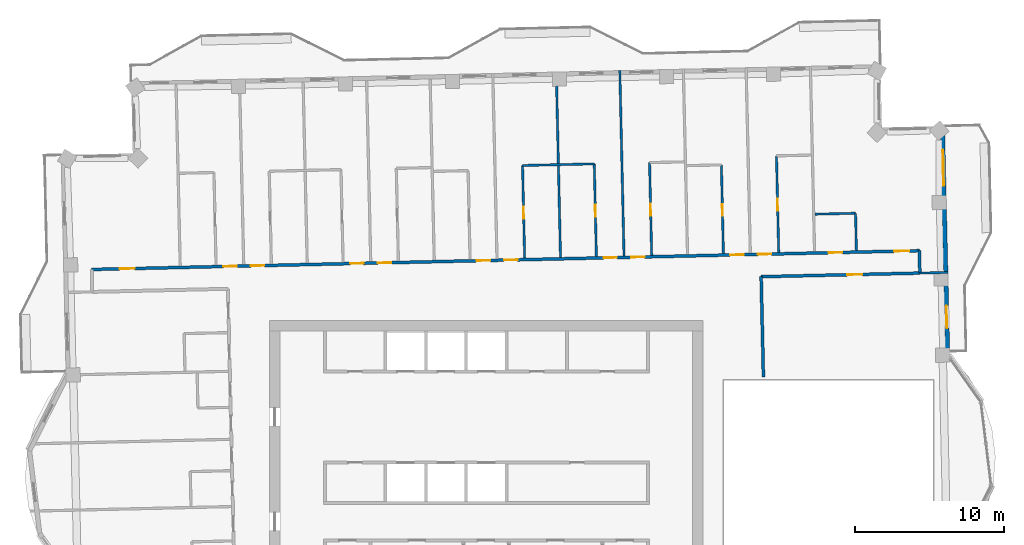
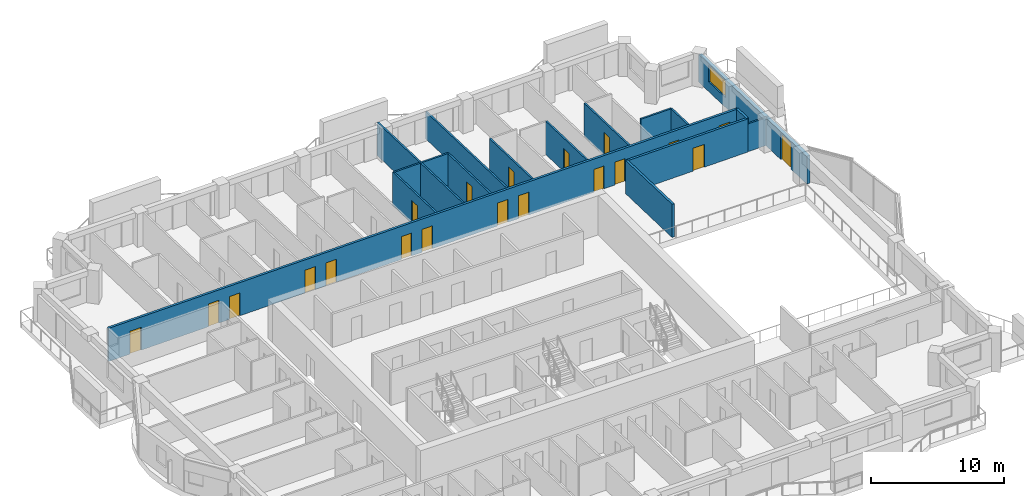
# One storey, part 14 of 20: 20 doors, 16 walls, 1 window, 21 openings.
"""IFC4 building model written with IfcOpenShell, lengths in metres."""

import ifcopenshell
import ifcopenshell.guid

model = None  # the IFC model being written
_history = None  # IfcOwnerHistory: only IFC2X3 demands one
_inside = {}  # id of a spatial element -> (the spatial element, [elements in it])
_under = {}  # id of a project, library or spatial element -> (it, [spatial elements below it])
_declared = {}  # id of a project -> (the project, [libraries it declares])
_typed = {}  # id of a type object -> (the type object, [elements of that type])
_made_of = {}  # id of a material, layer set ... -> (it, [elements and type objects made of it])


def new_model(schema):
    """Start an empty IFC model of exactly this schema.

    Asked for "IFC4X3", IfcOpenShell would pick the latest addendum, in which some entities
    have other attributes; the version numbers below select the first issue.
    IFC2X3 requires an IfcOwnerHistory on every rooted entity: one is made here for all.
    """
    global model, _history
    if schema == "IFC4X3":
        model = ifcopenshell.file(schema_version=(4, 3, 0, 0))
    else:
        model = ifcopenshell.file(schema=schema)
    _inside.clear()
    _under.clear()
    _declared.clear()
    _typed.clear()
    _made_of.clear()
    _history = None
    if model.schema == "IFC2X3":
        org = make("IfcOrganization", Name="unknown")
        user = make(
            "IfcPersonAndOrganization",
            ThePerson=make("IfcPerson", FamilyName="unknown"),
            TheOrganization=org,
        )
        app = make(
            "IfcApplication",
            ApplicationDeveloper=org,
            Version="unknown",
            ApplicationFullName="unknown",
            ApplicationIdentifier="unknown",
        )
        _history = make(
            "IfcOwnerHistory",
            OwningUser=user,
            OwningApplication=app,
            ChangeAction="ADDED",
            CreationDate=0,
        )
    return model


def make(cls, **values):
    """One entity of the class cls with the attributes given. An attribute that is None is left unset."""
    return model.create_entity(
        cls, **{name: value for name, value in values.items() if value is not None}
    )


def rooted(cls, **values):
    """An entity with a GlobalId (a new one), such as an element, a storey or a relation."""
    return make(cls, GlobalId=ifcopenshell.guid.new(), OwnerHistory=_history, **values)


def si_unit(unit_type, name, prefix=None):
    """IfcSIUnit, for example si_unit("LENGTHUNIT", "METRE", prefix="MILLI")."""
    return make("IfcSIUnit", UnitType=unit_type, Prefix=prefix, Name=name)


def assignment(units):
    """IfcUnitAssignment: the units of a project."""
    return None if units is None else make("IfcUnitAssignment", Units=units)


def point(xyz):
    """IfcCartesianPoint."""
    return None if xyz is None else make("IfcCartesianPoint", Coordinates=xyz)


def direction(xyz):
    """IfcDirection."""
    return None if xyz is None else make("IfcDirection", DirectionRatios=xyz)


def frame(location, z_axis=None, x_axis=None):
    """IfcAxis2Placement3D, a coordinate frame: its origin and axes. An axis left out is left unset."""
    return make(
        "IfcAxis2Placement3D",
        Location=point(location),
        Axis=direction(z_axis),
        RefDirection=direction(x_axis),
    )


def frame_2d(location, x_axis=None):
    """IfcAxis2Placement2D, a coordinate frame in the plane: its origin and x axis."""
    return make(
        "IfcAxis2Placement2D", Location=point(location), RefDirection=direction(x_axis)
    )


def origin():
    """The frame at (0, 0, 0) with its axes left unset."""
    return frame((0.0, 0.0, 0.0))


def place(relative_to, where):
    """IfcLocalPlacement: puts the frame where relative to a parent placement (None: the world)."""
    return make(
        "IfcLocalPlacement", PlacementRelTo=relative_to, RelativePlacement=where
    )


def context(
    kind, dimensions, precision=None, world=None, true_north=None, identifier=None
):
    """IfcGeometricRepresentationContext, for example the 3D "Model" context."""
    return make(
        "IfcGeometricRepresentationContext",
        ContextIdentifier=identifier,
        ContextType=kind,
        CoordinateSpaceDimension=dimensions,
        Precision=precision,
        WorldCoordinateSystem=world,
        TrueNorth=true_north,
    )


def subcontext(parent, identifier, kind, view, scale=None):
    """IfcGeometricRepresentationSubContext, for example "Body" below "Model"."""
    return make(
        "IfcGeometricRepresentationSubContext",
        ContextIdentifier=identifier,
        ContextType=kind,
        ParentContext=parent,
        TargetScale=scale,
        TargetView=view,
    )


def project(units=None, contexts=None):
    """IfcProject with its units and contexts."""
    return rooted(
        "IfcProject",
        Name="project",
        RepresentationContexts=contexts,
        UnitsInContext=assignment(units),
    )


def spatial(cls, under=None, at=None, **own):
    """A site, building, storey or space (cls), placed at a placement, below another one or the project."""
    s = rooted(cls, ObjectPlacement=at, **own)
    if under is not None:
        _under.setdefault(under.id(), (under, []))[1].append(s)
    return s


def profile(cls, at=None, kind="AREA", **sizes):
    """A parametric profile (cls). Its sizes go by their IFC names, for example OverallWidth=200.0."""
    return make(cls, ProfileType=kind, Position=at, **sizes)


def rectangle(**sizes):
    """IfcRectangleProfileDef."""
    return profile("IfcRectangleProfileDef", **sizes)


def extrude(swept, where, along, depth):
    """IfcExtrudedAreaSolid: the profile swept, set in the frame where, extruded along a direction by depth."""
    return make(
        "IfcExtrudedAreaSolid",
        SweptArea=swept,
        Position=where,
        ExtrudedDirection=direction(along),
        Depth=depth,
    )


def shape(context_of_items, identifier, shape_type, items):
    """IfcShapeRepresentation: the items that make up one representation, for example the "Body"."""
    return make(
        "IfcShapeRepresentation",
        ContextOfItems=context_of_items,
        RepresentationIdentifier=identifier,
        RepresentationType=shape_type,
        Items=items,
    )


def material(Name=None, Category=None):
    """IfcMaterial."""
    return make("IfcMaterial", Name=Name, Category=Category)


def layer(
    of_material, thickness, ventilated=None, Name=None, Category=None, Priority=None
):
    """IfcMaterialLayer: one layer of a wall or slab, of a material (None: an air gap)."""
    return make(
        "IfcMaterialLayer",
        Material=of_material,
        LayerThickness=thickness,
        IsVentilated=ventilated,
        Name=Name,
        Category=Category,
        Priority=Priority,
    )


def layer_set(layers, Name=None):
    """IfcMaterialLayerSet."""
    return make("IfcMaterialLayerSet", MaterialLayers=layers, LayerSetName=Name)


def made_of(thing, what):
    """Note that an element or type object is made of a material, layer set ...; save() writes the relation."""
    if what is not None:
        _made_of.setdefault(what.id(), (what, []))[1].append(thing)
    return thing


def type_object(cls, material=None, **own):
    """A type object (cls), such as IfcWallType, which elements share."""
    return made_of(rooted(cls, **own), material)


def element(
    cls,
    number,
    at=None,
    inside=None,
    cuts=None,
    type_object=None,
    material=None,
    context=None,
    identifier="Body",
    shape_type=None,
    held_by="IfcProductDefinitionShape",
    body=None,
    shapes=None,
    **own,
):
    """One element of the class cls, such as IfcWall. Its Tag is "e" and its number.

    at: its placement. inside: the storey or other place that contains it. cuts: it is an
    opening in that element (IfcRelVoidsElement). A single representation is given by context,
    identifier, shape_type and body (its items); several are given by shapes. held_by: the class
    of the entity that holds the representations. save() writes the other relations.
    """
    e = rooted(cls, Tag="e%d" % number, ObjectPlacement=at, **own)
    if body is not None:
        shapes = [shape(context, identifier, shape_type, body)]
    if shapes is not None:
        e.Representation = make(held_by, Representations=shapes)
    if inside is not None:
        _inside.setdefault(inside.id(), (inside, []))[1].append(e)
    if cuts is not None:
        rooted(
            "IfcRelVoidsElement", RelatingBuildingElement=cuts, RelatedOpeningElement=e
        )
    if type_object is not None:
        _typed.setdefault(type_object.id(), (type_object, []))[1].append(e)
    return made_of(e, material)


def fill(opening, filler):
    """IfcRelFillsElement: the door or window that sits in an opening."""
    return rooted(
        "IfcRelFillsElement",
        RelatingOpeningElement=opening,
        RelatedBuildingElement=filler,
    )


def aggregate(whole, parts):
    """IfcRelAggregates: a whole, such as a stair, and the parts it consists of."""
    return rooted("IfcRelAggregates", RelatingObject=whole, RelatedObjects=parts)


def save(model, path):
    """Write the relations noted so far, then the file.

    IfcRelAggregates (storeys below a building ...), IfcRelContainedInSpatialStructure (elements
    in a storey), IfcRelDefinesByType, IfcRelAssociatesMaterial and IfcRelDeclares: one each for
    every whole, place, type object, material and project.
    """
    for whole, parts in _under.values():
        aggregate(whole, parts)
    for where, things in _inside.values():
        rooted(
            "IfcRelContainedInSpatialStructure",
            RelatedElements=things,
            RelatingStructure=where,
        )
    for kind, things in _typed.values():
        rooted("IfcRelDefinesByType", RelatedObjects=things, RelatingType=kind)
    for what, things in _made_of.values():
        rooted("IfcRelAssociatesMaterial", RelatedObjects=things, RelatingMaterial=what)
    for by, libraries in _declared.values():
        rooted("IfcRelDeclares", RelatingContext=by, RelatedDefinitions=libraries)
    model.write(path)


model = new_model("IFC4")

# Units and contexts
model_context = context("Model", 3, precision=1e-05, world=origin(), true_north=direction((0.0, 1.0)))
body_context = subcontext(model_context, "Body", "Model", "MODEL_VIEW")
ifc_project = project(units=[si_unit("LENGTHUNIT", "METRE"), si_unit("AREAUNIT", "SQUARE_METRE"), si_unit("VOLUMEUNIT", "CUBIC_METRE"), si_unit("PLANEANGLEUNIT", "RADIAN"), si_unit("MASSUNIT", "GRAM", prefix="KILO")], contexts=[model_context])

# Site, building, storey
site_placement = place(None, origin())
site = spatial("IfcSite", under=ifc_project, at=site_placement, CompositionType="ELEMENT")
building_placement = place(site_placement, origin())
building = spatial("IfcBuilding", under=site, at=building_placement, Name="Mangrove Gate Tower", CompositionType="ELEMENT")
storey_placement = place(building_placement, frame((0.0, 0.0, 294.300048828125)))
storey = spatial("IfcBuildingStorey", under=building, at=storey_placement, Name="L75", CompositionType="ELEMENT", Elevation=294.300048828125)

# Wall
ifc_material_1 = material(Name="Gypsum board on steel stud, EI 60", Category="steel")
ifc_layer_1 = layer(ifc_material_1, 0.199951171875)
ifc_layer_set_1 = layer_set([ifc_layer_1], Name="Corridor wall EI 60")
wall_type_1 = type_object("IfcWallType", Name="Corridor wall EI 60", PredefinedType="PARTITIONING", material=ifc_layer_set_1)
wall_1_placement = place(storey_placement, frame((18.537109375, 7.714111328125, 0.0), z_axis=(0.0, 0.0, 1.0), x_axis=(-0.022773383809, 0.999740652864, 0.0)))
element("IfcWall", 1, at=wall_1_placement, inside=storey, type_object=wall_type_1, Name="WALL-L75-050", PredefinedType="PARTITIONING", context=body_context, shape_type="SweptSolid", body=[
    extrude(rectangle(XDim=6.7216796875, YDim=0.199951171875, at=frame_2d((3.36083984375, 0.0))), origin(), (0.0, 0.0, 1.0), 3.050048828125),
])

# Wall, opening, door
wall_2_placement = place(storey_placement, frame((18.382080078125, 14.43408203125, 0.0), z_axis=(0.0, 0.0, 1.0), x_axis=(0.999742819156, 0.02267808514, 0.0)))
wall_2 = element("IfcWall", 2, at=wall_2_placement, inside=storey, type_object=wall_type_1, Name="WALL-L75-057", PredefinedType="PARTITIONING", context=body_context, shape_type="SweptSolid", body=[
    extrude(rectangle(XDim=10.62548828125, YDim=0.199951171875, at=frame_2d((5.312744140625, 0.0))), origin(), (0.0, 0.0, 1.0), 3.050048828125),
])
opening_1_placement = place(wall_2_placement, frame((5.777099609375, 0.0, 0.0)))
opening_1 = element("IfcOpeningElement", 3, at=opening_1_placement, cuts=wall_2, Name="Opening AD", PredefinedType="OPENING", context=body_context, shape_type="SweptSolid", body=[
    extrude(rectangle(XDim=1.0, YDim=2.10009765625, at=frame_2d((0.5, 1.050048828125))), frame((0.0, 0.10986328125, 0.0), z_axis=(0.0, -1.0, 0.0), x_axis=(1.0, 0.0, 0.0)), (0.0, 0.0, 1.0), 0.219970703125),
])
ifc_material_2 = material(Name="Timber door leaf", Category="wood")
door_type_1 = type_object("IfcDoorType", Name="Amenity door 1000", OperationType="SINGLE_SWING_LEFT", PredefinedType="DOOR", material=ifc_material_2)
door_1_placement = place(opening_1_placement, origin())
door_1 = element("IfcDoor", 4, at=door_1_placement, inside=storey, type_object=door_type_1, Name="DOOR-L75-LNG-c3b", OperationType="SINGLE_SWING_RIGHT", OverallHeight=2.10009765625, OverallWidth=1.0, PredefinedType="DOOR", context=body_context, shape_type="SweptSolid", body=[
    extrude(rectangle(XDim=1.0, YDim=2.10009765625, at=frame_2d((0.5, 1.050048828125))), frame((0.0, 0.02490234375, 0.0), z_axis=(0.0, -1.0, 0.0), x_axis=(1.0, 0.0, 0.0)), (0.0, 0.0, 1.0), 0.050048828125),
])
fill(opening_1, door_1)

# Wall
wall_3_placement = place(storey_placement, frame((29.001953125, 14.675048828125, 0.0), z_axis=(0.0, 0.0, 1.0), x_axis=(-0.022617910375, 0.999744182344, 0.0)))
element("IfcWall", 5, at=wall_3_placement, inside=storey, type_object=wall_type_1, Name="WALL-L75-058", PredefinedType="PARTITIONING", context=body_context, shape_type="SweptSolid", body=[
    extrude(rectangle(XDim=1.50048828125, YDim=0.199951171875, at=frame_2d((0.750244140625, 0.0))), origin(), (0.0, 0.0, 1.0), 3.050048828125),
])

# Wall, openings, doors
wall_4_placement = place(storey_placement, frame((-26.40087890625, 14.91796875, 0.0), z_axis=(0.0, 0.0, 1.0), x_axis=(0.99974239733, 0.022696673341, 0.0)))
wall_4 = element("IfcWall", 6, at=wall_4_placement, inside=storey, type_object=wall_type_1, Name="WALL-L75-060", PredefinedType="PARTITIONING", context=body_context, shape_type="SweptSolid", body=[
    extrude(rectangle(XDim=55.385986328125, YDim=0.199951171875, at=frame_2d((27.69287109375, 0.0))), origin(), (0.0, 0.0, 1.0), 3.050048828125),
])
opening_2_placement = place(wall_4_placement, frame((53.718017578125, 0.0, 0.0)))
opening_2 = element("IfcOpeningElement", 7, at=opening_2_placement, cuts=wall_4, Name="Opening AD", PredefinedType="OPENING", context=body_context, shape_type="SweptSolid", body=[
    extrude(rectangle(XDim=1.0, YDim=2.10009765625, at=frame_2d((0.5, 1.050048828125))), frame((0.0, 0.10986328125, 0.0), z_axis=(0.0, -1.0, 0.0), x_axis=(1.0, 0.0, 0.0)), (0.0, 0.0, 1.0), 0.219970703125),
])
opening_3_placement = place(wall_4_placement, frame((49.324951171875, 0.0, 0.0)))
opening_3 = element("IfcOpeningElement", 8, at=opening_3_placement, cuts=wall_4, Name="Opening SD", PredefinedType="OPENING", context=body_context, shape_type="SweptSolid", body=[
    extrude(rectangle(XDim=0.89990234375, YDim=2.10009765625, at=frame_2d((0.449951171875, 1.050048828125))), frame((0.0, 0.10986328125, 0.0), z_axis=(0.0, -1.0, 0.0), x_axis=(1.0, 0.0, 0.0)), (0.0, 0.0, 1.0), 0.219970703125),
])
opening_4_placement = place(wall_4_placement, frame((44.574951171875, 0.0, 0.0)))
opening_4 = element("IfcOpeningElement", 9, at=opening_4_placement, cuts=wall_4, Name="Opening BD", PredefinedType="OPENING", context=body_context, shape_type="SweptSolid", body=[
    extrude(rectangle(XDim=0.89990234375, YDim=2.10009765625, at=frame_2d((0.449951171875, 1.050048828125))), frame((0.0, 0.10986328125, 0.0), z_axis=(0.0, -1.0, 0.0), x_axis=(1.0, 0.0, 0.0)), (0.0, 0.0, 1.0), 0.219970703125),
])
opening_5_placement = place(wall_4_placement, frame((42.72509765625, 0.0, 0.0)))
opening_5 = element("IfcOpeningElement", 10, at=opening_5_placement, cuts=wall_4, Name="Opening BD", PredefinedType="OPENING", context=body_context, shape_type="SweptSolid", body=[
    extrude(rectangle(XDim=0.89990234375, YDim=2.10009765625, at=frame_2d((0.449951171875, 1.050048828125))), frame((0.0, 0.10986328125, 0.0), z_axis=(0.0, -1.0, 0.0), x_axis=(1.0, 0.0, 0.0)), (0.0, 0.0, 1.0), 0.219970703125),
])
opening_6_placement = place(wall_4_placement, frame((36.10009765625, 0.0, 0.0)))
opening_6 = element("IfcOpeningElement", 11, at=opening_6_placement, cuts=wall_4, Name="Opening BD", PredefinedType="OPENING", context=body_context, shape_type="SweptSolid", body=[
    extrude(rectangle(XDim=0.89990234375, YDim=2.10009765625, at=frame_2d((0.449951171875, 1.050048828125))), frame((0.0, 0.10986328125, 0.0), z_axis=(0.0, -1.0, 0.0), x_axis=(1.0, 0.0, 0.0)), (0.0, 0.0, 1.0), 0.219970703125),
])
opening_7_placement = place(wall_4_placement, frame((34.25, 0.0, 0.0)))
opening_7 = element("IfcOpeningElement", 12, at=opening_7_placement, cuts=wall_4, Name="Opening BD", PredefinedType="OPENING", context=body_context, shape_type="SweptSolid", body=[
    extrude(rectangle(XDim=0.89990234375, YDim=2.10009765625, at=frame_2d((0.449951171875, 1.050048828125))), frame((0.0, 0.10986328125, 0.0), z_axis=(0.0, -1.0, 0.0), x_axis=(1.0, 0.0, 0.0)), (0.0, 0.0, 1.0), 0.219970703125),
])
opening_8_placement = place(wall_4_placement, frame((27.60009765625, 0.0, 0.0)))
opening_8 = element("IfcOpeningElement", 13, at=opening_8_placement, cuts=wall_4, Name="Opening BD", PredefinedType="OPENING", context=body_context, shape_type="SweptSolid", body=[
    extrude(rectangle(XDim=0.89990234375, YDim=2.10009765625, at=frame_2d((0.449951171875, 1.050048828125))), frame((0.0, 0.10986328125, 0.0), z_axis=(0.0, -1.0, 0.0), x_axis=(1.0, 0.0, 0.0)), (0.0, 0.0, 1.0), 0.219970703125),
])
opening_9_placement = place(wall_4_placement, frame((25.77490234375, 0.0, 0.0)))
opening_9 = element("IfcOpeningElement", 14, at=opening_9_placement, cuts=wall_4, Name="Opening BD", PredefinedType="OPENING", context=body_context, shape_type="SweptSolid", body=[
    extrude(rectangle(XDim=0.89990234375, YDim=2.10009765625, at=frame_2d((0.449951171875, 1.050048828125))), frame((0.0, 0.10986328125, 0.0), z_axis=(0.0, -1.0, 0.0), x_axis=(1.0, 0.0, 0.0)), (0.0, 0.0, 1.0), 0.219970703125),
])
opening_10_placement = place(wall_4_placement, frame((19.14990234375, 0.0, 0.0)))
opening_10 = element("IfcOpeningElement", 15, at=opening_10_placement, cuts=wall_4, Name="Opening BD", PredefinedType="OPENING", context=body_context, shape_type="SweptSolid", body=[
    extrude(rectangle(XDim=0.89990234375, YDim=2.10009765625, at=frame_2d((0.449951171875, 1.050048828125))), frame((0.0, 0.10986328125, 0.0), z_axis=(0.0, -1.0, 0.0), x_axis=(1.0, 0.0, 0.0)), (0.0, 0.0, 1.0), 0.219970703125),
])
opening_11_placement = place(wall_4_placement, frame((17.300048828125, 0.0, 0.0)))
opening_11 = element("IfcOpeningElement", 16, at=opening_11_placement, cuts=wall_4, Name="Opening BD", PredefinedType="OPENING", context=body_context, shape_type="SweptSolid", body=[
    extrude(rectangle(XDim=0.89990234375, YDim=2.10009765625, at=frame_2d((0.449951171875, 1.050048828125))), frame((0.0, 0.10986328125, 0.0), z_axis=(0.0, -1.0, 0.0), x_axis=(1.0, 0.0, 0.0)), (0.0, 0.0, 1.0), 0.219970703125),
])
opening_12_placement = place(wall_4_placement, frame((10.64990234375, 0.0, 0.0)))
opening_12 = element("IfcOpeningElement", 17, at=opening_12_placement, cuts=wall_4, Name="Opening BD", PredefinedType="OPENING", context=body_context, shape_type="SweptSolid", body=[
    extrude(rectangle(XDim=0.89990234375, YDim=2.10009765625, at=frame_2d((0.449951171875, 1.050048828125))), frame((0.0, 0.10986328125, 0.0), z_axis=(0.0, -1.0, 0.0), x_axis=(1.0, 0.0, 0.0)), (0.0, 0.0, 1.0), 0.219970703125),
])
opening_13_placement = place(wall_4_placement, frame((8.800048828125, 0.0, 0.0)))
opening_13 = element("IfcOpeningElement", 18, at=opening_13_placement, cuts=wall_4, Name="Opening BD", PredefinedType="OPENING", context=body_context, shape_type="SweptSolid", body=[
    extrude(rectangle(XDim=0.89990234375, YDim=2.10009765625, at=frame_2d((0.449951171875, 1.050048828125))), frame((0.0, 0.10986328125, 0.0), z_axis=(0.0, -1.0, 0.0), x_axis=(1.0, 0.0, 0.0)), (0.0, 0.0, 1.0), 0.219970703125),
])
opening_14_placement = place(wall_4_placement, frame((1.864013671875, 0.0, 0.0)))
opening_14 = element("IfcOpeningElement", 19, at=opening_14_placement, cuts=wall_4, Name="Opening AD", PredefinedType="OPENING", context=body_context, shape_type="SweptSolid", body=[
    extrude(rectangle(XDim=1.0, YDim=2.10009765625, at=frame_2d((0.5, 1.050048828125))), frame((0.0, 0.10986328125, 0.0), z_axis=(0.0, -1.0, 0.0), x_axis=(1.0, 0.0, 0.0)), (0.0, 0.0, 1.0), 0.219970703125),
])
door_2_placement = place(opening_2_placement, origin())
door_2 = element("IfcDoor", 20, at=door_2_placement, inside=storey, type_object=door_type_1, Name="DOOR-L75-KIT-c3a", OperationType="SINGLE_SWING_LEFT", OverallHeight=2.10009765625, OverallWidth=1.0, PredefinedType="DOOR", context=body_context, shape_type="SweptSolid", body=[
    extrude(rectangle(XDim=1.0, YDim=2.10009765625, at=frame_2d((0.5, 1.050048828125))), frame((0.0, 0.02490234375, 0.0), z_axis=(0.0, -1.0, 0.0), x_axis=(1.0, 0.0, 0.0)), (0.0, 0.0, 1.0), 0.050048828125),
])
fill(opening_2, door_2)
door_3_placement = place(opening_14_placement, origin())
door_3 = element("IfcDoor", 21, at=door_3_placement, inside=storey, type_object=door_type_1, Name="DOOR-L75-STU-c5a", OperationType="SINGLE_SWING_RIGHT", OverallHeight=2.10009765625, OverallWidth=1.0, PredefinedType="DOOR", context=body_context, shape_type="SweptSolid", body=[
    extrude(rectangle(XDim=1.0, YDim=2.10009765625, at=frame_2d((0.5, 1.050048828125))), frame((0.0, 0.02490234375, 0.0), z_axis=(0.0, -1.0, 0.0), x_axis=(1.0, 0.0, 0.0)), (0.0, 0.0, 1.0), 0.050048828125),
])
fill(opening_14, door_3)
ifc_material_3 = material(Name="Timber door leaf", Category="wood")
door_type_2 = type_object("IfcDoorType", Name="Bedroom door 900", OperationType="SINGLE_SWING_LEFT", PredefinedType="DOOR", material=ifc_material_3)
door_4_placement = place(opening_4_placement, origin())
door_4 = element("IfcDoor", 22, at=door_4_placement, inside=storey, type_object=door_type_2, Name="DOOR-L75-BED-c310", OperationType="SINGLE_SWING_RIGHT", OverallHeight=2.10009765625, OverallWidth=0.89990234375, PredefinedType="DOOR", context=body_context, shape_type="SweptSolid", body=[
    extrude(rectangle(XDim=0.89990234375, YDim=2.10009765625, at=frame_2d((0.449951171875, 1.050048828125))), frame((0.0, 0.02490234375, 0.0), z_axis=(0.0, -1.0, 0.0), x_axis=(1.0, 0.0, 0.0)), (0.0, 0.0, 1.0), 0.050048828125),
])
fill(opening_4, door_4)
door_5_placement = place(opening_5_placement, origin())
door_5 = element("IfcDoor", 23, at=door_5_placement, inside=storey, type_object=door_type_2, Name="DOOR-L75-BED-c311", OperationType="SINGLE_SWING_LEFT", OverallHeight=2.10009765625, OverallWidth=0.89990234375, PredefinedType="DOOR", context=body_context, shape_type="SweptSolid", body=[
    extrude(rectangle(XDim=0.89990234375, YDim=2.10009765625, at=frame_2d((0.449951171875, 1.050048828125))), frame((0.0, 0.02490234375, 0.0), z_axis=(0.0, -1.0, 0.0), x_axis=(1.0, 0.0, 0.0)), (0.0, 0.0, 1.0), 0.050048828125),
])
fill(opening_5, door_5)
door_6_placement = place(opening_6_placement, origin())
door_6 = element("IfcDoor", 24, at=door_6_placement, inside=storey, type_object=door_type_2, Name="DOOR-L75-BED-c312", OperationType="SINGLE_SWING_RIGHT", OverallHeight=2.10009765625, OverallWidth=0.89990234375, PredefinedType="DOOR", context=body_context, shape_type="SweptSolid", body=[
    extrude(rectangle(XDim=0.89990234375, YDim=2.10009765625, at=frame_2d((0.449951171875, 1.050048828125))), frame((0.0, 0.02490234375, 0.0), z_axis=(0.0, -1.0, 0.0), x_axis=(1.0, 0.0, 0.0)), (0.0, 0.0, 1.0), 0.050048828125),
])
fill(opening_6, door_6)
door_7_placement = place(opening_7_placement, origin())
door_7 = element("IfcDoor", 25, at=door_7_placement, inside=storey, type_object=door_type_2, Name="DOOR-L75-BED-c413", OperationType="SINGLE_SWING_LEFT", OverallHeight=2.10009765625, OverallWidth=0.89990234375, PredefinedType="DOOR", context=body_context, shape_type="SweptSolid", body=[
    extrude(rectangle(XDim=0.89990234375, YDim=2.10009765625, at=frame_2d((0.449951171875, 1.050048828125))), frame((0.0, 0.02490234375, 0.0), z_axis=(0.0, -1.0, 0.0), x_axis=(1.0, 0.0, 0.0)), (0.0, 0.0, 1.0), 0.050048828125),
])
fill(opening_7, door_7)
door_8_placement = place(opening_8_placement, origin())
door_8 = element("IfcDoor", 26, at=door_8_placement, inside=storey, type_object=door_type_2, Name="DOOR-L75-BED-c414", OperationType="SINGLE_SWING_RIGHT", OverallHeight=2.10009765625, OverallWidth=0.89990234375, PredefinedType="DOOR", context=body_context, shape_type="SweptSolid", body=[
    extrude(rectangle(XDim=0.89990234375, YDim=2.10009765625, at=frame_2d((0.449951171875, 1.050048828125))), frame((0.0, 0.02490234375, 0.0), z_axis=(0.0, -1.0, 0.0), x_axis=(1.0, 0.0, 0.0)), (0.0, 0.0, 1.0), 0.050048828125),
])
fill(opening_8, door_8)
door_9_placement = place(opening_9_placement, origin())
door_9 = element("IfcDoor", 27, at=door_9_placement, inside=storey, type_object=door_type_2, Name="DOOR-L75-BED-c415", OperationType="SINGLE_SWING_LEFT", OverallHeight=2.10009765625, OverallWidth=0.89990234375, PredefinedType="DOOR", context=body_context, shape_type="SweptSolid", body=[
    extrude(rectangle(XDim=0.89990234375, YDim=2.10009765625, at=frame_2d((0.449951171875, 1.050048828125))), frame((0.0, 0.02490234375, 0.0), z_axis=(0.0, -1.0, 0.0), x_axis=(1.0, 0.0, 0.0)), (0.0, 0.0, 1.0), 0.050048828125),
])
fill(opening_9, door_9)
door_10_placement = place(opening_10_placement, origin())
door_10 = element("IfcDoor", 28, at=door_10_placement, inside=storey, type_object=door_type_2, Name="DOOR-L75-BED-c416", OperationType="SINGLE_SWING_RIGHT", OverallHeight=2.10009765625, OverallWidth=0.89990234375, PredefinedType="DOOR", context=body_context, shape_type="SweptSolid", body=[
    extrude(rectangle(XDim=0.89990234375, YDim=2.10009765625, at=frame_2d((0.449951171875, 1.050048828125))), frame((0.0, 0.02490234375, 0.0), z_axis=(0.0, -1.0, 0.0), x_axis=(1.0, 0.0, 0.0)), (0.0, 0.0, 1.0), 0.050048828125),
])
fill(opening_10, door_10)
door_11_placement = place(opening_11_placement, origin())
door_11 = element("IfcDoor", 29, at=door_11_placement, inside=storey, type_object=door_type_2, Name="DOOR-L75-BED-c517", OperationType="SINGLE_SWING_LEFT", OverallHeight=2.10009765625, OverallWidth=0.89990234375, PredefinedType="DOOR", context=body_context, shape_type="SweptSolid", body=[
    extrude(rectangle(XDim=0.89990234375, YDim=2.10009765625, at=frame_2d((0.449951171875, 1.050048828125))), frame((0.0, 0.02490234375, 0.0), z_axis=(0.0, -1.0, 0.0), x_axis=(1.0, 0.0, 0.0)), (0.0, 0.0, 1.0), 0.050048828125),
])
fill(opening_11, door_11)
door_12_placement = place(opening_12_placement, origin())
door_12 = element("IfcDoor", 30, at=door_12_placement, inside=storey, type_object=door_type_2, Name="DOOR-L75-BED-c518", OperationType="SINGLE_SWING_RIGHT", OverallHeight=2.10009765625, OverallWidth=0.89990234375, PredefinedType="DOOR", context=body_context, shape_type="SweptSolid", body=[
    extrude(rectangle(XDim=0.89990234375, YDim=2.10009765625, at=frame_2d((0.449951171875, 1.050048828125))), frame((0.0, 0.02490234375, 0.0), z_axis=(0.0, -1.0, 0.0), x_axis=(1.0, 0.0, 0.0)), (0.0, 0.0, 1.0), 0.050048828125),
])
fill(opening_12, door_12)
door_13_placement = place(opening_13_placement, origin())
door_13 = element("IfcDoor", 31, at=door_13_placement, inside=storey, type_object=door_type_2, Name="DOOR-L75-BED-c519", OperationType="SINGLE_SWING_LEFT", OverallHeight=2.10009765625, OverallWidth=0.89990234375, PredefinedType="DOOR", context=body_context, shape_type="SweptSolid", body=[
    extrude(rectangle(XDim=0.89990234375, YDim=2.10009765625, at=frame_2d((0.449951171875, 1.050048828125))), frame((0.0, 0.02490234375, 0.0), z_axis=(0.0, -1.0, 0.0), x_axis=(1.0, 0.0, 0.0)), (0.0, 0.0, 1.0), 0.050048828125),
])
fill(opening_13, door_13)
ifc_material_4 = material(Name="Timber door leaf", Category="wood")
door_type_3 = type_object("IfcDoorType", Name="Service room door 900", OperationType="SINGLE_SWING_LEFT", PredefinedType="DOOR", material=ifc_material_4)
door_14_placement = place(opening_3_placement, origin())
door_14 = element("IfcDoor", 32, at=door_14_placement, inside=storey, type_object=door_type_3, Name="DOOR-L75-LDY-c3a", OperationType="SINGLE_SWING_RIGHT", OverallHeight=2.10009765625, OverallWidth=0.89990234375, PredefinedType="DOOR", context=body_context, shape_type="SweptSolid", body=[
    extrude(rectangle(XDim=0.89990234375, YDim=2.10009765625, at=frame_2d((0.449951171875, 1.050048828125))), frame((0.0, 0.02490234375, 0.0), z_axis=(0.0, -1.0, 0.0), x_axis=(1.0, 0.0, 0.0)), (0.0, 0.0, 1.0), 0.050048828125),
])
fill(opening_3, door_14)

# Wall, openings, door, window
ifc_material_5 = material(Name="Limestone", Category="masonry")
ifc_layer_2 = layer(ifc_material_5, 0.0400390625, Name="Limestone cladding")
ifc_material_6 = material(Name="Ventilated air gap")
ifc_layer_3 = layer(ifc_material_6, 0.0400390625, Name="Ventilated cavity")
ifc_material_7 = material(Name="Mineral wool insulation")
ifc_layer_4 = layer(ifc_material_7, 0.06005859375, Name="Insulation")
ifc_material_8 = material(Name="Breather membrane")
ifc_layer_5 = layer(ifc_material_8, 0.001953125, Name="Breather membrane")
ifc_material_9 = material(Name="Concrete C20/25 blockwork", Category="masonry")
ifc_layer_6 = layer(ifc_material_9, 0.14990234375, Name="Blockwork backing wall")
ifc_material_10 = material(Name="Gypsum plaster")
ifc_layer_7 = layer(ifc_material_10, 0.008056640625, Name="Internal plaster")
ifc_layer_set_2 = layer_set([ifc_layer_2, ifc_layer_3, ifc_layer_4, ifc_layer_5, ifc_layer_6, ifc_layer_7], Name="External wall 300 limestone cladding")
wall_type_2 = type_object("IfcWallType", Name="External wall 300 limestone cladding", PredefinedType="SOLIDWALL", material=ifc_layer_set_2)
wall_5_placement = place(storey_placement, frame((30.864990234375, 8.716064453125, 0.0), z_axis=(0.0, 0.0, 1.0), x_axis=(-0.022682425427, 0.999742720692, 0.0)))
wall_5 = element("IfcWall", 33, at=wall_5_placement, inside=storey, type_object=wall_type_2, Name="WALL-L75-E2s1", PredefinedType="SOLIDWALL", context=body_context, shape_type="SweptSolid", body=[
    extrude(rectangle(XDim=15.64990234375, YDim=0.300048828125, at=frame_2d((7.824951171875, 0.0))), origin(), (0.0, 0.0, 1.0), 2.550048828125),
])
opening_15_placement = place(wall_5_placement, frame((2.279052734375, 0.0, 0.0)))
opening_15 = element("IfcOpeningElement", 34, at=opening_15_placement, cuts=wall_5, Name="Opening BD1", PredefinedType="OPENING", context=body_context, shape_type="SweptSolid", body=[
    extrude(rectangle(XDim=1.5, YDim=2.39990234375, at=frame_2d((0.75, 1.199951171875))), frame((0.0, 0.159912109375, 0.0), z_axis=(0.0, -1.0, 0.0), x_axis=(1.0, 0.0, 0.0)), (0.0, 0.0, 1.0), 0.320068359375),
])
opening_16_placement = place(wall_5_placement, frame((11.798095703125, 0.0, 0.89990234375)))
opening_16 = element("IfcOpeningElement", 35, at=opening_16_placement, cuts=wall_5, Name="Opening W2", PredefinedType="OPENING", context=body_context, shape_type="SweptSolid", body=[
    extrude(rectangle(XDim=2.39990234375, YDim=1.5, at=frame_2d((1.199951171875, 0.75))), frame((0.0, 0.159912109375, 0.0), z_axis=(0.0, -1.0, 0.0), x_axis=(1.0, 0.0, 0.0)), (0.0, 0.0, 1.0), 0.320068359375),
])
ifc_material_11 = material(Name="Aluminium frame with laminated clear glass", Category="aluminium")
door_type_4 = type_object("IfcDoorType", Name="Balcony sliding door 1500x2400", OperationType="SLIDING_TO_LEFT", PredefinedType="DOOR", material=ifc_material_11)
door_15_placement = place(opening_15_placement, origin())
door_15 = element("IfcDoor", 36, at=door_15_placement, inside=storey, type_object=door_type_4, Name="DOOR-L75-E2-1", OperationType="SLIDING_TO_LEFT", OverallHeight=2.39990234375, OverallWidth=1.5, PredefinedType="DOOR", context=body_context, shape_type="SweptSolid", body=[
    extrude(rectangle(XDim=1.5, YDim=2.39990234375, at=frame_2d((0.75, 1.199951171875))), frame((0.0, 0.02490234375, 0.0), z_axis=(0.0, -1.0, 0.0), x_axis=(1.0, 0.0, 0.0)), (0.0, 0.0, 1.0), 0.050048828125),
])
fill(opening_15, door_15)
ifc_material_12 = material(Name="Aluminium frame with double-glazed low-e glass", Category="aluminium")
window_type = type_object("IfcWindowType", Name="Corner room window 2400x1500", PartitioningType="DOUBLE_PANEL_VERTICAL", PredefinedType="WINDOW", material=ifc_material_12)
window_placement = place(opening_16_placement, origin())
window = element("IfcWindow", 37, at=window_placement, inside=storey, type_object=window_type, Name="WIN-L75-E2-2", OverallHeight=1.5, OverallWidth=2.39990234375, PartitioningType="DOUBLE_PANEL_VERTICAL", PredefinedType="WINDOW", context=body_context, shape_type="SweptSolid", body=[
    extrude(rectangle(XDim=2.39990234375, YDim=1.5, at=frame_2d((1.199951171875, 0.75))), frame((0.0, 0.030029296875, 0.0), z_axis=(0.0, -1.0, 0.0), x_axis=(1.0, 0.0, 0.0)), (0.0, 0.0, 1.0), 0.06005859375),
])
fill(opening_16, window)

# Wall
ifc_material_13 = material(Name="Gypsum board on steel stud, EI 60", Category="steel")
ifc_layer_8 = layer(ifc_material_13, 0.14990234375)
ifc_layer_set_3 = layer_set([ifc_layer_8], Name="Party wall 150 EI 60")
wall_type_3 = type_object("IfcWallType", Name="Party wall 150 EI 60", PredefinedType="PARTITIONING", material=ifc_layer_set_3)
wall_6_placement = place(storey_placement, frame((29.0048828125, 14.675048828125, 0.0), z_axis=(0.0, 0.0, 1.0), x_axis=(0.999737243051, 0.022922583999, 0.0)))
element("IfcWall", 38, at=wall_6_placement, inside=storey, type_object=wall_type_3, Name="WALL-L75-059", PredefinedType="PARTITIONING", context=body_context, shape_type="SweptSolid", body=[
    extrude(rectangle(XDim=1.87451171875, YDim=0.14990234375, at=frame_2d((0.937255859375, 0.0))), origin(), (0.0, 0.0, 1.0), 2.550048828125),
])

# Wall, opening, door
wall_7_placement = place(storey_placement, frame((2.56201171875, 15.675048828125, 0.0), z_axis=(0.0, 0.0, 1.0), x_axis=(-0.02275807565, 0.999741001456, 0.0)))
wall_7 = element("IfcWall", 39, at=wall_7_placement, inside=storey, type_object=wall_type_3, Name="WALL-L75-072", PredefinedType="PARTITIONING", context=body_context, shape_type="SweptSolid", body=[
    extrude(rectangle(XDim=6.20068359375, YDim=0.14990234375, at=frame_2d((3.100341796875, 0.0))), origin(), (0.0, 0.0, 1.0), 3.050048828125),
])
opening_17_placement = place(wall_7_placement, frame((2.64990234375, 0.0, 0.0)))
opening_17 = element("IfcOpeningElement", 40, at=opening_17_placement, cuts=wall_7, Name="Opening ED", PredefinedType="OPENING", context=body_context, shape_type="SweptSolid", body=[
    extrude(rectangle(XDim=0.800048828125, YDim=2.10009765625, at=frame_2d((0.39990234375, 1.050048828125))), frame((0.0, 0.0849609375, 0.0), z_axis=(0.0, -1.0, 0.0), x_axis=(1.0, 0.0, 0.0)), (0.0, 0.0, 1.0), 0.169921875),
])
ifc_material_14 = material(Name="Timber door leaf", Category="wood")
door_type_5 = type_object("IfcDoorType", Name="En-suite door 800", OperationType="SINGLE_SWING_LEFT", PredefinedType="DOOR", material=ifc_material_14)
door_16_placement = place(opening_17_placement, origin())
door_16 = element("IfcDoor", 41, at=door_16_placement, inside=storey, type_object=door_type_5, Name="DOOR-L75-ENS-c414", OperationType="SINGLE_SWING_RIGHT", OverallHeight=2.10009765625, OverallWidth=0.800048828125, PredefinedType="DOOR", context=body_context, shape_type="SweptSolid", body=[
    extrude(rectangle(XDim=0.800048828125, YDim=2.10009765625, at=frame_2d((0.39990234375, 1.050048828125))), frame((0.0, 0.02490234375, 0.0), z_axis=(0.0, -1.0, 0.0), x_axis=(1.0, 0.0, 0.0)), (0.0, 0.0, 1.0), 0.050048828125),
])
fill(opening_17, door_16)

# Wall
wall_8_placement = place(storey_placement, frame((4.9609375, 15.72998046875, 0.0), z_axis=(0.0, 0.0, 1.0), x_axis=(-0.022661475803, 0.999743195783, 0.0)))
element("IfcWall", 42, at=wall_8_placement, inside=storey, type_object=wall_type_3, Name="WALL-L75-073", PredefinedType="PARTITIONING", context=body_context, shape_type="SweptSolid", body=[
    extrude(rectangle(XDim=12.400146484375, YDim=0.14990234375, at=frame_2d((6.2001953125, 0.0))), origin(), (0.0, 0.0, 1.0), 3.050048828125),
])

# Wall, opening, door
wall_9_placement = place(storey_placement, frame((7.361083984375, 15.783935546875, 0.0), z_axis=(0.0, 0.0, 1.0), x_axis=(-0.02275807565, 0.999741001456, 0.0)))
wall_9 = element("IfcWall", 43, at=wall_9_placement, inside=storey, type_object=wall_type_3, Name="WALL-L75-074", PredefinedType="PARTITIONING", context=body_context, shape_type="SweptSolid", body=[
    extrude(rectangle(XDim=6.20068359375, YDim=0.14990234375, at=frame_2d((3.100341796875, 0.0))), origin(), (0.0, 0.0, 1.0), 3.050048828125),
])
opening_18_placement = place(wall_9_placement, frame((2.64990234375, 0.0, 0.0)))
opening_18 = element("IfcOpeningElement", 44, at=opening_18_placement, cuts=wall_9, Name="Opening ED", PredefinedType="OPENING", context=body_context, shape_type="SweptSolid", body=[
    extrude(rectangle(XDim=0.800048828125, YDim=2.10009765625, at=frame_2d((0.39990234375, 1.050048828125))), frame((0.0, 0.0849609375, 0.0), z_axis=(0.0, -1.0, 0.0), x_axis=(1.0, 0.0, 0.0)), (0.0, 0.0, 1.0), 0.169921875),
])
door_17_placement = place(opening_18_placement, origin())
door_17 = element("IfcDoor", 45, at=door_17_placement, inside=storey, type_object=door_type_5, Name="DOOR-L75-ENS-c413", OperationType="SINGLE_SWING_LEFT", OverallHeight=2.10009765625, OverallWidth=0.800048828125, PredefinedType="DOOR", context=body_context, shape_type="SweptSolid", body=[
    extrude(rectangle(XDim=0.800048828125, YDim=2.10009765625, at=frame_2d((0.39990234375, 1.050048828125))), frame((0.0, 0.02490234375, 0.0), z_axis=(0.0, -1.0, 0.0), x_axis=(1.0, 0.0, 0.0)), (0.0, 0.0, 1.0), 0.050048828125),
])
fill(opening_18, door_17)

# Wall
wall_10_placement = place(storey_placement, frame((9.2099609375, 15.825927734375, 0.0), z_axis=(0.0, 0.0, 1.0), x_axis=(-0.022661475803, 0.999743195783, 0.0)))
element("IfcWall", 46, at=wall_10_placement, inside=storey, type_object=wall_type_3, Name="WALL-L75-075", PredefinedType="PARTITIONING", context=body_context, shape_type="SweptSolid", body=[
    extrude(rectangle(XDim=12.400146484375, YDim=0.14990234375, at=frame_2d((6.2001953125, 0.0))), origin(), (0.0, 0.0, 1.0), 2.5),
])

# Wall, opening, door
wall_11_placement = place(storey_placement, frame((11.06005859375, 15.867919921875, 0.0), z_axis=(0.0, 0.0, 1.0), x_axis=(-0.02275807565, 0.999741001456, 0.0)))
wall_11 = element("IfcWall", 47, at=wall_11_placement, inside=storey, type_object=wall_type_3, Name="WALL-L75-076", PredefinedType="PARTITIONING", context=body_context, shape_type="SweptSolid", body=[
    extrude(rectangle(XDim=6.20068359375, YDim=0.14990234375, at=frame_2d((3.100341796875, 0.0))), origin(), (0.0, 0.0, 1.0), 3.050048828125),
])
opening_19_placement = place(wall_11_placement, frame((2.64990234375, 0.0, 0.0)))
opening_19 = element("IfcOpeningElement", 48, at=opening_19_placement, cuts=wall_11, Name="Opening ED", PredefinedType="OPENING", context=body_context, shape_type="SweptSolid", body=[
    extrude(rectangle(XDim=0.800048828125, YDim=2.10009765625, at=frame_2d((0.39990234375, 1.050048828125))), frame((0.0, 0.0849609375, 0.0), z_axis=(0.0, -1.0, 0.0), x_axis=(1.0, 0.0, 0.0)), (0.0, 0.0, 1.0), 0.169921875),
])
door_18_placement = place(opening_19_placement, origin())
door_18 = element("IfcDoor", 49, at=door_18_placement, inside=storey, type_object=door_type_5, Name="DOOR-L75-ENS-c312", OperationType="SINGLE_SWING_RIGHT", OverallHeight=2.10009765625, OverallWidth=0.800048828125, PredefinedType="DOOR", context=body_context, shape_type="SweptSolid", body=[
    extrude(rectangle(XDim=0.800048828125, YDim=2.10009765625, at=frame_2d((0.39990234375, 1.050048828125))), frame((0.0, 0.02490234375, 0.0), z_axis=(0.0, -1.0, 0.0), x_axis=(1.0, 0.0, 0.0)), (0.0, 0.0, 1.0), 0.050048828125),
])
fill(opening_19, door_18)

wall_12_placement = place(storey_placement, frame((15.85888671875, 15.97705078125, 0.0), z_axis=(0.0, 0.0, 1.0), x_axis=(-0.022685930195, 0.999742641169, 0.0)))
wall_12 = element("IfcWall", 50, at=wall_12_placement, inside=storey, type_object=wall_type_3, Name="WALL-L75-078", PredefinedType="PARTITIONING", context=body_context, shape_type="SweptSolid", body=[
    extrude(rectangle(XDim=5.9404296875, YDim=0.14990234375, at=frame_2d((2.97021484375, 0.0))), origin(), (0.0, 0.0, 1.0), 3.050048828125),
])
opening_20_placement = place(wall_12_placement, frame((2.52001953125, 0.0, 0.0)))
opening_20 = element("IfcOpeningElement", 51, at=opening_20_placement, cuts=wall_12, Name="Opening ED", PredefinedType="OPENING", context=body_context, shape_type="SweptSolid", body=[
    extrude(rectangle(XDim=0.800048828125, YDim=2.10009765625, at=frame_2d((0.39990234375, 1.050048828125))), frame((0.0, 0.0849609375, 0.0), z_axis=(0.0, -1.0, 0.0), x_axis=(1.0, 0.0, 0.0)), (0.0, 0.0, 1.0), 0.169921875),
])
door_19_placement = place(opening_20_placement, origin())
door_19 = element("IfcDoor", 52, at=door_19_placement, inside=storey, type_object=door_type_5, Name="DOOR-L75-ENS-c311", OperationType="SINGLE_SWING_LEFT", OverallHeight=2.10009765625, OverallWidth=0.800048828125, PredefinedType="DOOR", context=body_context, shape_type="SweptSolid", body=[
    extrude(rectangle(XDim=0.800048828125, YDim=2.10009765625, at=frame_2d((0.39990234375, 1.050048828125))), frame((0.0, 0.02490234375, 0.0), z_axis=(0.0, -1.0, 0.0), x_axis=(1.0, 0.0, 0.0)), (0.0, 0.0, 1.0), 0.050048828125),
])
fill(opening_20, door_19)

wall_13_placement = place(storey_placement, frame((19.55810546875, 16.06103515625, 0.0), z_axis=(0.0, 0.0, 1.0), x_axis=(-0.022790087107, 0.999740272236, 0.0)))
wall_13 = element("IfcWall", 53, at=wall_13_placement, inside=storey, type_object=wall_type_3, Name="WALL-L75-080", PredefinedType="PARTITIONING", context=body_context, shape_type="SweptSolid", body=[
    extrude(rectangle(XDim=6.459716796875, YDim=0.14990234375, at=frame_2d((3.22998046875, 0.0))), origin(), (0.0, 0.0, 1.0), 3.050048828125),
])
opening_21_placement = place(wall_13_placement, frame((2.780029296875, 0.0, 0.0)))
opening_21 = element("IfcOpeningElement", 54, at=opening_21_placement, cuts=wall_13, Name="Opening ED", PredefinedType="OPENING", context=body_context, shape_type="SweptSolid", body=[
    extrude(rectangle(XDim=0.800048828125, YDim=2.10009765625, at=frame_2d((0.39990234375, 1.050048828125))), frame((0.0, 0.0849609375, 0.0), z_axis=(0.0, -1.0, 0.0), x_axis=(1.0, 0.0, 0.0)), (0.0, 0.0, 1.0), 0.169921875),
])
door_20_placement = place(opening_21_placement, origin())
door_20 = element("IfcDoor", 55, at=door_20_placement, inside=storey, type_object=door_type_5, Name="DOOR-L75-ENS-c310", OperationType="SINGLE_SWING_RIGHT", OverallHeight=2.10009765625, OverallWidth=0.800048828125, PredefinedType="DOOR", context=body_context, shape_type="SweptSolid", body=[
    extrude(rectangle(XDim=0.800048828125, YDim=2.10009765625, at=frame_2d((0.39990234375, 1.050048828125))), frame((0.0, 0.02490234375, 0.0), z_axis=(0.0, -1.0, 0.0), x_axis=(1.0, 0.0, 0.0)), (0.0, 0.0, 1.0), 0.050048828125),
])
fill(opening_21, door_20)

# Walls
wall_14_placement = place(storey_placement, frame((24.756103515625, 16.178955078125, 0.0), z_axis=(0.0, 0.0, 1.0), x_axis=(-0.022464044534, 0.999747651512, 0.0)))
element("IfcWall", 56, at=wall_14_placement, inside=storey, type_object=wall_type_3, Name="WALL-L75-082", PredefinedType="PARTITIONING", context=body_context, shape_type="SweptSolid", body=[
    extrude(rectangle(XDim=2.499755859375, YDim=0.14990234375, at=frame_2d((1.25, 0.0))), origin(), (0.0, 0.0, 1.0), 3.050048828125),
])
wall_15_placement = place(storey_placement, frame((21.97705078125, 18.616943359375, 0.0), z_axis=(0.0, 0.0, 1.0), x_axis=(0.999749227207, 0.022393809408, 0.0)))
element("IfcWall", 57, at=wall_15_placement, inside=storey, type_object=wall_type_3, Name="WALL-L75-083", PredefinedType="PARTITIONING", context=body_context, shape_type="SweptSolid", body=[
    extrude(rectangle(XDim=2.7255859375, YDim=0.14990234375, at=frame_2d((1.36279296875, 0.0))), origin(), (0.0, 0.0, 1.0), 3.050048828125),
])
wall_16_placement = place(storey_placement, frame((2.423095703125, 21.8740234375, 0.0), z_axis=(0.0, 0.0, 1.0), x_axis=(0.999742675121, 0.022684433919, 0.0)))
element("IfcWall", 58, at=wall_16_placement, inside=storey, type_object=wall_type_3, Name="WALL-L75-089", PredefinedType="PARTITIONING", context=body_context, shape_type="SweptSolid", body=[
    extrude(rectangle(XDim=4.800048828125, YDim=0.14990234375, at=frame_2d((2.39990234375, 0.0))), origin(), (0.0, 0.0, 1.0), 3.050048828125),
])

save(model, "model.ifc")
